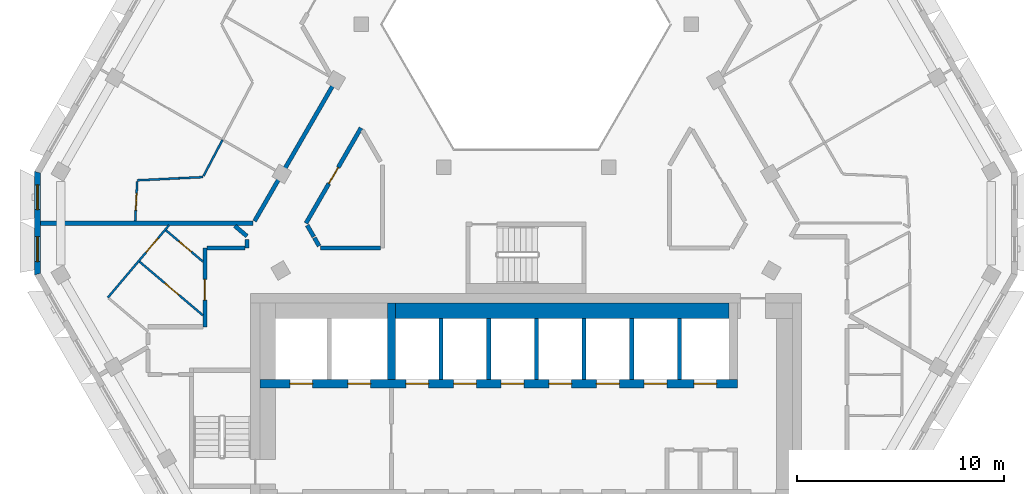
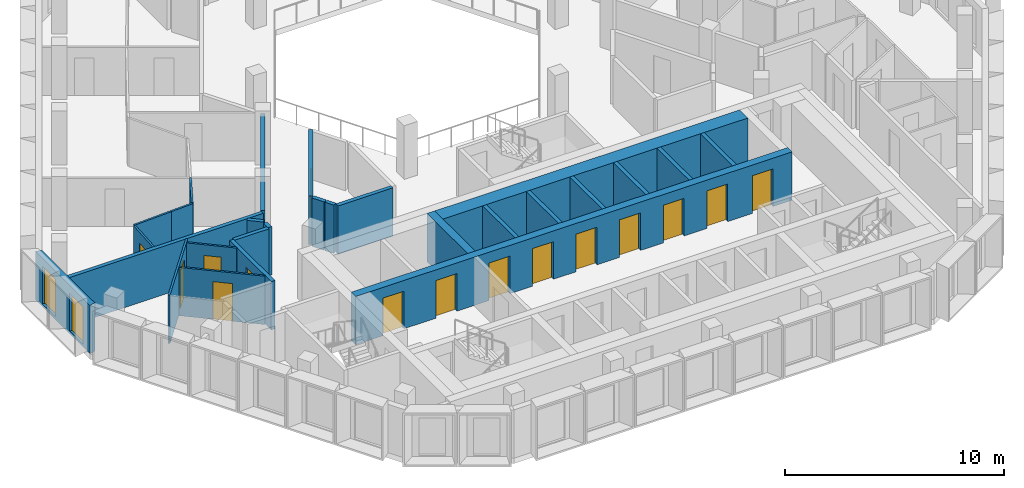
# One storey, part 4 of 16: 27 walls, 15 doors, 2 windows, 17 openings.
"""IFC4 building model written with IfcOpenShell, lengths in metres."""

from ifc_helpers import new_model, si_unit, direction, frame, frame_2d, origin, place, context, subcontext, project, spatial, polyline, rectangle, outline, extrude, material, layer, layer_set, type_object, element, fill, save


model = new_model("IFC4")

# Units and contexts
model_context = context("Model", 3, precision=1e-05, world=origin(), true_north=direction((0.0, 1.0)))
body_context = subcontext(model_context, "Body", "Model", "MODEL_VIEW")
ifc_project = project(units=[si_unit("LENGTHUNIT", "METRE"), si_unit("AREAUNIT", "SQUARE_METRE"), si_unit("VOLUMEUNIT", "CUBIC_METRE"), si_unit("PLANEANGLEUNIT", "RADIAN"), si_unit("MASSUNIT", "GRAM", prefix="KILO")], contexts=[model_context])

# Site, building, storey
site_placement = place(None, origin())
site = spatial("IfcSite", under=ifc_project, at=site_placement, CompositionType="ELEMENT")
building_placement = place(site_placement, origin())
building = spatial("IfcBuilding", under=site, at=building_placement, Name="Beryl Residences", CompositionType="ELEMENT")
storey_placement = place(building_placement, frame((0.0, 0.0, 226.800048828125)))
storey = spatial("IfcBuildingStorey", under=building, at=storey_placement, Name="L70", CompositionType="ELEMENT", Elevation=226.800048828125)

# Wall, openings, windows
ifc_material_1 = material(Name="Composite metal panel with mineral wool insulation")
ifc_layer_1 = layer(ifc_material_1, 0.300048828125)
ifc_layer_set_1 = layer_set([ifc_layer_1], Name="ES1 pale metal composite panel wall 300 mm")
wall_type_1 = type_object("IfcWallType", Name="ES1 pale metal composite panel wall 300 mm", PredefinedType="SOLIDWALL", material=ifc_layer_set_1)
wall_1_placement = place(storey_placement, frame((-23.5791015625, 0.89990234375, 0.0), z_axis=(0.0, 0.0, 1.0), x_axis=(0.0, -1.0, 0.0)))
wall_1 = element("IfcWall", 1, at=wall_1_placement, inside=storey, type_object=wall_type_1, Name="ES1 external wall L70 NW-SW", PredefinedType="SOLIDWALL", context=body_context, shape_type="SweptSolid", body=[
    extrude(outline(polyline([(0.0, -0.14990234375), (5.0, -0.14990234375), (4.919677734375, 0.14990234375), (0.080322265625, 0.14990234375), (0.0, -0.14990234375)])), origin(), (0.0, 0.0, 1.0), 2.699951171875),
])
opening_1_placement = place(wall_1_placement, frame((0.64990234375, 0.0, 0.14990234375)))
opening_1 = element("IfcOpeningElement", 2, at=opening_1_placement, cuts=wall_1, Name="Opening W2", PredefinedType="OPENING", context=body_context, shape_type="SweptSolid", body=[
    extrude(rectangle(XDim=1.199951171875, YDim=2.10009765625, at=frame_2d((0.60009765625, 1.050048828125))), frame((0.0, 0.159912109375, 0.0), z_axis=(0.0, -1.0, 0.0), x_axis=(1.0, 0.0, 0.0)), (0.0, 0.0, 1.0), 0.320068359375),
])
opening_2_placement = place(wall_1_placement, frame((3.14990234375, 0.0, 0.14990234375)))
opening_2 = element("IfcOpeningElement", 3, at=opening_2_placement, cuts=wall_1, Name="Opening W2", PredefinedType="OPENING", context=body_context, shape_type="SweptSolid", body=[
    extrude(rectangle(XDim=1.199951171875, YDim=2.10009765625, at=frame_2d((0.60009765625, 1.050048828125))), frame((0.0, 0.159912109375, 0.0), z_axis=(0.0, -1.0, 0.0), x_axis=(1.0, 0.0, 0.0)), (0.0, 0.0, 1.0), 0.320068359375),
])
ifc_material_2 = material(Name="Aluminium and clear glass", Category="aluminium")
window_type = type_object("IfcWindowType", Name="W2 chamfer window 1200 x 2100 mm", PartitioningType="SINGLE_PANEL", PredefinedType="WINDOW", material=ifc_material_2)
window_1_placement = place(opening_1_placement, origin())
window_1 = element("IfcWindow", 4, at=window_1_placement, inside=storey, type_object=window_type, Name="W2 window L70 NW-SW 1", OverallHeight=2.10009765625, OverallWidth=1.199951171875, PartitioningType="SINGLE_PANEL", PredefinedType="WINDOW", context=body_context, shape_type="SweptSolid", body=[
    extrude(rectangle(XDim=1.199951171875, YDim=2.10009765625, at=frame_2d((0.60009765625, 1.050048828125))), frame((0.0, 0.030029296875, 0.0), z_axis=(0.0, -1.0, 0.0), x_axis=(1.0, 0.0, 0.0)), (0.0, 0.0, 1.0), 0.06005859375),
])
fill(opening_1, window_1)
window_2_placement = place(opening_2_placement, origin())
window_2 = element("IfcWindow", 5, at=window_2_placement, inside=storey, type_object=window_type, Name="W2 window L70 NW-SW 2", OverallHeight=2.10009765625, OverallWidth=1.199951171875, PartitioningType="SINGLE_PANEL", PredefinedType="WINDOW", context=body_context, shape_type="SweptSolid", body=[
    extrude(rectangle(XDim=1.199951171875, YDim=2.10009765625, at=frame_2d((0.60009765625, 1.050048828125))), frame((0.0, 0.030029296875, 0.0), z_axis=(0.0, -1.0, 0.0), x_axis=(1.0, 0.0, 0.0)), (0.0, 0.0, 1.0), 0.06005859375),
])
fill(opening_2, window_2)

# Wall, opening, door
ifc_material_3 = material(Name="Gypsum board partition on steel studs", Category="steel")
ifc_layer_2 = layer(ifc_material_3, 0.10009765625)
ifc_layer_set_2 = layer_set([ifc_layer_2], Name="PT1 partition 100 mm gypsum board on steel studs")
wall_type_2 = type_object("IfcWallType", Name="PT1 partition 100 mm gypsum board on steel studs", PredefinedType="PARTITIONING", material=ifc_layer_set_2)
wall_2_placement = place(storey_placement, frame((-17.3798828125, -1.947021484375, 0.0), z_axis=(0.0, 0.0, 1.0), x_axis=(0.763616683524, -0.645669854217, 0.0)))
wall_2 = element("IfcWall", 6, at=wall_2_placement, inside=storey, type_object=wall_type_2, Name="Wall PT1 L70 017", PredefinedType="PARTITIONING", context=body_context, shape_type="SweptSolid", body=[
    extrude(rectangle(XDim=2.330810546875, YDim=0.10009765625, at=frame_2d((1.16552734375, 0.0))), origin(), (0.0, 0.0, 1.0), 2.699951171875),
])
opening_3_placement = place(wall_2_placement, frame((0.805908203125, 0.0, 0.0)))
opening_3 = element("IfcOpeningElement", 7, at=opening_3_placement, cuts=wall_2, Name="Opening D1934", PredefinedType="OPENING", context=body_context, shape_type="SweptSolid", body=[
    extrude(rectangle(XDim=0.800048828125, YDim=2.10009765625, at=frame_2d((0.39990234375, 1.050048828125))), frame((0.0, 0.06005859375, 0.0), z_axis=(0.0, -1.0, 0.0), x_axis=(1.0, 0.0, 0.0)), (0.0, 0.0, 1.0), 0.1201171875),
])
ifc_material_4 = material(Name="Timber door leaf", Category="wood")
door_type_1 = type_object("IfcDoorType", Name="D3 bathroom door 800 x 2100 mm", OperationType="SINGLE_SWING_LEFT", PredefinedType="DOOR", material=ifc_material_4)
door_1_placement = place(opening_3_placement, origin())
door_1 = element("IfcDoor", 8, at=door_1_placement, inside=storey, type_object=door_type_1, Name="Door D1934 L70 001", OperationType="SINGLE_SWING_RIGHT", OverallHeight=2.10009765625, OverallWidth=0.800048828125, PredefinedType="DOOR", context=body_context, shape_type="SweptSolid", body=[
    extrude(rectangle(XDim=0.800048828125, YDim=2.10009765625, at=frame_2d((0.39990234375, 1.050048828125))), frame((0.0, 0.02490234375, 0.0), z_axis=(0.0, -1.0, 0.0), x_axis=(1.0, 0.0, 0.0)), (0.0, 0.0, 1.0), 0.050048828125),
])
fill(opening_3, door_1)

wall_3_placement = place(storey_placement, frame((-18.658935546875, -3.458984375, 0.0), z_axis=(0.0, 0.0, 1.0), x_axis=(0.763550385572, -0.64574825489, 0.0)))
wall_3 = element("IfcWall", 9, at=wall_3_placement, inside=storey, type_object=wall_type_2, Name="Wall PT1 L70 018", PredefinedType="PARTITIONING", context=body_context, shape_type="SweptSolid", body=[
    extrude(rectangle(XDim=4.006103515625, YDim=0.10009765625, at=frame_2d((2.0029296875, 0.0))), origin(), (0.0, 0.0, 1.0), 2.699951171875),
])
opening_4_placement = place(wall_3_placement, frame((1.593017578125, 0.0, 0.0)))
opening_4 = element("IfcOpeningElement", 10, at=opening_4_placement, cuts=wall_3, Name="Opening D1933", PredefinedType="OPENING", context=body_context, shape_type="SweptSolid", body=[
    extrude(rectangle(XDim=0.89990234375, YDim=2.10009765625, at=frame_2d((0.449951171875, 1.050048828125))), frame((0.0, 0.06005859375, 0.0), z_axis=(0.0, -1.0, 0.0), x_axis=(1.0, 0.0, 0.0)), (0.0, 0.0, 1.0), 0.1201171875),
])
ifc_material_5 = material(Name="Timber door leaf", Category="wood")
door_type_2 = type_object("IfcDoorType", Name="D2 room door 900 x 2100 mm", OperationType="SINGLE_SWING_LEFT", PredefinedType="DOOR", material=ifc_material_5)
door_2_placement = place(opening_4_placement, origin())
door_2 = element("IfcDoor", 11, at=door_2_placement, inside=storey, type_object=door_type_2, Name="Door D1933 L70 001", OperationType="SINGLE_SWING_LEFT", OverallHeight=2.10009765625, OverallWidth=0.89990234375, PredefinedType="DOOR", context=body_context, shape_type="SweptSolid", body=[
    extrude(rectangle(XDim=0.89990234375, YDim=2.10009765625, at=frame_2d((0.449951171875, 1.050048828125))), frame((0.0, 0.02490234375, 0.0), z_axis=(0.0, -1.0, 0.0), x_axis=(1.0, 0.0, 0.0)), (0.0, 0.0, 1.0), 0.050048828125),
])
fill(opening_4, door_2)

wall_4_placement = place(storey_placement, frame((-20.18798828125, -5.19091796875, 0.0), z_axis=(0.0, 0.0, 1.0), x_axis=(0.645563873658, 0.763706281909, 0.0)))
wall_4 = element("IfcWall", 12, at=wall_4_placement, inside=storey, type_object=wall_type_2, Name="Wall PT1 L70 023", PredefinedType="PARTITIONING", context=body_context, shape_type="SweptSolid", body=[
    extrude(rectangle(XDim=4.571044921875, YDim=0.10009765625, at=frame_2d((2.28564453125, 0.0))), origin(), (0.0, 0.0, 1.0), 2.699951171875),
])
opening_5_placement = place(wall_4_placement, frame((2.85009765625, 0.0, 0.0)))
opening_5 = element("IfcOpeningElement", 13, at=opening_5_placement, cuts=wall_4, Name="Opening D1935", PredefinedType="OPENING", context=body_context, shape_type="SweptSolid", body=[
    extrude(rectangle(XDim=0.89990234375, YDim=2.10009765625, at=frame_2d((0.449951171875, 1.050048828125))), frame((0.0, 0.06005859375, 0.0), z_axis=(0.0, -1.0, 0.0), x_axis=(1.0, 0.0, 0.0)), (0.0, 0.0, 1.0), 0.1201171875),
])
door_3_placement = place(opening_5_placement, origin())
door_3 = element("IfcDoor", 14, at=door_3_placement, inside=storey, type_object=door_type_2, Name="Door D1935 L70 001", OperationType="SINGLE_SWING_LEFT", OverallHeight=2.10009765625, OverallWidth=0.89990234375, PredefinedType="DOOR", context=body_context, shape_type="SweptSolid", body=[
    extrude(rectangle(XDim=0.89990234375, YDim=2.10009765625, at=frame_2d((0.449951171875, 1.050048828125))), frame((0.0, 0.02490234375, 0.0), z_axis=(0.0, -1.0, 0.0), x_axis=(1.0, 0.0, 0.0)), (0.0, 0.0, 1.0), 0.050048828125),
])
fill(opening_5, door_3)

# Wall
wall_5_placement = place(storey_placement, frame((-15.572021484375, 0.676025390625, 0.0), z_axis=(0.0, 0.0, 1.0), x_axis=(0.465298498919, 0.885153832339, 0.0)))
element("IfcWall", 15, at=wall_5_placement, inside=storey, type_object=wall_type_2, Name="Wall PT1 L70 025", PredefinedType="PARTITIONING", context=body_context, shape_type="SweptSolid", body=[
    extrude(rectangle(XDim=1.97705078125, YDim=0.10009765625, at=frame_2d((0.988525390625, 0.0))), origin(), (0.0, 0.0, 1.0), 2.699951171875),
])

# Wall, opening, door
wall_6_placement = place(storey_placement, frame((-18.865966796875, -1.5, 0.0), z_axis=(0.0, 0.0, 1.0), x_axis=(0.048923533446, 0.998802526967, 0.0)))
wall_6 = element("IfcWall", 16, at=wall_6_placement, inside=storey, type_object=wall_type_2, Name="Wall PT1 L70 031", PredefinedType="PARTITIONING", context=body_context, shape_type="SweptSolid", body=[
    extrude(rectangle(XDim=1.921142578125, YDim=0.10009765625, at=frame_2d((0.96044921875, 0.0))), origin(), (0.0, 0.0, 1.0), 2.699951171875),
])
opening_6_placement = place(wall_6_placement, frame((0.535888671875, 0.0, 0.0)))
opening_6 = element("IfcOpeningElement", 17, at=opening_6_placement, cuts=wall_6, Name="Opening D1931", PredefinedType="OPENING", context=body_context, shape_type="SweptSolid", body=[
    extrude(rectangle(XDim=0.800048828125, YDim=2.10009765625, at=frame_2d((0.39990234375, 1.050048828125))), frame((0.0, 0.06005859375, 0.0), z_axis=(0.0, -1.0, 0.0), x_axis=(1.0, 0.0, 0.0)), (0.0, 0.0, 1.0), 0.1201171875),
])
door_4_placement = place(opening_6_placement, origin())
door_4 = element("IfcDoor", 18, at=door_4_placement, inside=storey, type_object=door_type_1, Name="Door D1931 L70 001", OperationType="SINGLE_SWING_LEFT", OverallHeight=2.10009765625, OverallWidth=0.800048828125, PredefinedType="DOOR", context=body_context, shape_type="SweptSolid", body=[
    extrude(rectangle(XDim=0.800048828125, YDim=2.10009765625, at=frame_2d((0.39990234375, 1.050048828125))), frame((0.0, 0.02490234375, 0.0), z_axis=(0.0, -1.0, 0.0), x_axis=(1.0, 0.0, 0.0)), (0.0, 0.0, 1.0), 0.050048828125),
])
fill(opening_6, door_4)

# Walls
wall_7_placement = place(storey_placement, frame((-18.76904296875, 0.468994140625, 0.0), z_axis=(0.0, 0.0, 1.0), x_axis=(0.998780383332, 0.049373534108, 0.0)))
element("IfcWall", 19, at=wall_7_placement, inside=storey, type_object=wall_type_2, Name="Wall PT1 L70 038", PredefinedType="PARTITIONING", context=body_context, shape_type="SweptSolid", body=[
    extrude(rectangle(XDim=2.007568359375, YDim=0.10009765625, at=frame_2d((1.00390625, 0.0))), origin(), (0.0, 0.0, 1.0), 2.699951171875),
])
wall_8_placement = place(storey_placement, frame((-16.763916015625, 0.568115234375, 0.0), z_axis=(0.0, 0.0, 1.0), x_axis=(0.998809616198, 0.048778587419, 0.0)))
element("IfcWall", 20, at=wall_8_placement, inside=storey, type_object=wall_type_2, Name="Wall PT1 L70 039", PredefinedType="PARTITIONING", context=body_context, shape_type="SweptSolid", body=[
    extrude(rectangle(XDim=1.166259765625, YDim=0.10009765625, at=frame_2d((0.5830078125, 0.0))), origin(), (0.0, 0.0, 1.0), 2.699951171875),
])
ifc_material_6 = material(Name="Acoustic double stud gypsum board wall")
ifc_layer_3 = layer(ifc_material_6, 0.199951171875)
ifc_layer_set_3 = layer_set([ifc_layer_3], Name="PT3 party wall 200 mm acoustic double stud")
wall_type_3 = type_object("IfcWallType", Name="PT3 party wall 200 mm acoustic double stud", PredefinedType="PARTITIONING", material=ifc_layer_set_3)
wall_9_placement = place(storey_placement, frame((-14.05908203125, -1.72998046875, 0.0), z_axis=(0.0, 0.0, 1.0), x_axis=(0.763289607824, -0.64605647941, 0.0)))
element("IfcWall", 21, at=wall_9_placement, inside=storey, type_object=wall_type_3, Name="Wall PT3 L70 007", PredefinedType="PARTITIONING", context=body_context, shape_type="SweptSolid", body=[
    extrude(rectangle(XDim=0.766357421875, YDim=0.199951171875, at=frame_2d((0.38330078125, 0.0))), origin(), (0.0, 0.0, 1.0), 2.699951171875),
])
wall_10_placement = place(storey_placement, frame((-23.428955078125, -1.60107421875, 0.0), z_axis=(0.0, 0.0, 1.0), x_axis=(0.999999995449, 9.5406191e-05, 0.0)))
element("IfcWall", 22, at=wall_10_placement, inside=storey, type_object=wall_type_3, Name="Wall PT3 L70 008", PredefinedType="PARTITIONING", context=body_context, shape_type="SweptSolid", body=[
    extrude(rectangle(XDim=10.23583984375, YDim=0.199951171875, at=frame_2d((5.117919921875, 0.0))), origin(), (0.0, 0.0, 1.0), 2.699951171875),
])
ifc_material_7 = material(Name="Double stud gypsum board wall")
ifc_layer_4 = layer(ifc_material_7, 0.199951171875)
ifc_layer_set_4 = layer_set([ifc_layer_4], Name="PT4 corridor wall 200 mm double stud")
wall_type_4 = type_object("IfcWallType", Name="PT4 corridor wall 200 mm double stud", PredefinedType="PARTITIONING", material=ifc_layer_set_4)
wall_11_placement = place(storey_placement, frame((-10.56494140625, -1.700927734375, 0.0), z_axis=(0.0, 0.0, 1.0), x_axis=(0.499512735409, -0.866306543416, 0.0)))
element("IfcWall", 23, at=wall_11_placement, inside=storey, type_object=wall_type_4, Name="Wall PT4 L70 003", PredefinedType="PARTITIONING", context=body_context, shape_type="SweptSolid", body=[
    extrude(rectangle(XDim=0.638427734375, YDim=0.199951171875, at=frame_2d((0.3193359375, 0.0))), origin(), (0.0, 0.0, 1.0), 2.699951171875),
])
wall_12_placement = place(storey_placement, frame((-10.217041015625, -2.303955078125, 0.0), z_axis=(0.0, 0.0, 1.0), x_axis=(0.499013081552, -0.866594452117, 0.0)))
element("IfcWall", 24, at=wall_12_placement, inside=storey, type_object=wall_type_4, Name="Wall PT4 L70 004", PredefinedType="PARTITIONING", context=body_context, shape_type="SweptSolid", body=[
    extrude(rectangle(XDim=0.45703125, YDim=0.199951171875, at=frame_2d((0.228515625, 0.0))), origin(), (0.0, 0.0, 1.0), 2.699951171875),
])
wall_13_placement = place(storey_placement, frame((-15.39892578125, -2.800048828125, 0.0), z_axis=(0.0, 0.0, 1.0), x_axis=(1.0, 0.0, 0.0)))
element("IfcWall", 25, at=wall_13_placement, inside=storey, type_object=wall_type_4, Name="Wall PT4 L70 014", PredefinedType="PARTITIONING", context=body_context, shape_type="SweptSolid", body=[
    extrude(rectangle(XDim=1.824951171875, YDim=0.199951171875, at=frame_2d((0.91259765625, 0.0))), origin(), (0.0, 0.0, 1.0), 2.699951171875),
])
wall_14_placement = place(storey_placement, frame((-9.929931640625, -2.800048828125, 0.0), z_axis=(0.0, 0.0, 1.0), x_axis=(1.0, 0.0, 0.0)))
element("IfcWall", 26, at=wall_14_placement, inside=storey, type_object=wall_type_4, Name="Wall PT4 L70 015", PredefinedType="PARTITIONING", context=body_context, shape_type="SweptSolid", body=[
    extrude(rectangle(XDim=2.90087890625, YDim=0.199951171875, at=frame_2d((1.450439453125, 0.0))), origin(), (0.0, 0.0, 1.0), 2.699951171875),
])

# Wall, opening, door
wall_15_placement = place(storey_placement, frame((-10.623046875, -1.60009765625, 0.0), z_axis=(0.0, 0.0, 1.0), x_axis=(0.500040865889, 0.866001808567, 0.0)))
wall_15 = element("IfcWall", 27, at=wall_15_placement, inside=storey, type_object=wall_type_4, Name="Wall PT4 L70 023", PredefinedType="PARTITIONING", context=body_context, shape_type="SweptSolid", body=[
    extrude(rectangle(XDim=5.3095703125, YDim=0.199951171875, at=frame_2d((2.65478515625, 0.0))), origin(), (0.0, 0.0, 1.0), 2.699951171875),
])
opening_7_placement = place(wall_15_placement, frame((2.205078125, 0.0, 0.0)))
opening_7 = element("IfcOpeningElement", 28, at=opening_7_placement, cuts=wall_15, Name="Opening D1937", PredefinedType="OPENING", context=body_context, shape_type="SweptSolid", body=[
    extrude(rectangle(XDim=0.89990234375, YDim=2.10009765625, at=frame_2d((0.449951171875, 1.050048828125))), frame((0.0, 0.10986328125, 0.0), z_axis=(0.0, -1.0, 0.0), x_axis=(1.0, 0.0, 0.0)), (0.0, 0.0, 1.0), 0.219970703125),
])
door_5_placement = place(opening_7_placement, origin())
door_5 = element("IfcDoor", 29, at=door_5_placement, inside=storey, type_object=door_type_2, Name="Door D1937 L70 001", OperationType="SINGLE_SWING_LEFT", OverallHeight=2.10009765625, OverallWidth=0.89990234375, PredefinedType="DOOR", context=body_context, shape_type="SweptSolid", body=[
    extrude(rectangle(XDim=0.89990234375, YDim=2.10009765625, at=frame_2d((0.449951171875, 1.050048828125))), frame((0.0, 0.02490234375, 0.0), z_axis=(0.0, -1.0, 0.0), x_axis=(1.0, 0.0, 0.0)), (0.0, 0.0, 1.0), 0.050048828125),
])
fill(opening_7, door_5)

# Walls
wall_16_placement = place(storey_placement, frame((-13.10595703125, -1.5, 0.0), z_axis=(0.0, 0.0, 1.0), x_axis=(0.500025705601, 0.86601056214, 0.0)))
element("IfcWall", 30, at=wall_16_placement, inside=storey, type_object=wall_type_4, Name="Wall PT4 L70 024", PredefinedType="PARTITIONING", context=body_context, shape_type="SweptSolid", body=[
    extrude(rectangle(XDim=7.7353515625, YDim=0.199951171875, at=frame_2d((3.86767578125, 0.0))), origin(), (0.0, 0.0, 1.0), 2.699951171875),
])
wall_17_placement = place(storey_placement, frame((-13.472900390625, -2.799072265625, 0.0), z_axis=(0.0, 0.0, 1.0), x_axis=(0.0, 1.0, 0.0)))
element("IfcWall", 31, at=wall_17_placement, inside=storey, type_object=wall_type_4, Name="Wall PT4 L70 029", PredefinedType="PARTITIONING", context=body_context, shape_type="SweptSolid", body=[
    extrude(rectangle(XDim=0.412109375, YDim=0.199951171875, at=frame_2d((0.2060546875, 0.0))), origin(), (0.0, 0.0, 1.0), 2.699951171875),
])

# Wall, opening, door
wall_18_placement = place(storey_placement, frame((-15.5, -6.59912109375, 0.0), z_axis=(0.0, 0.0, 1.0), x_axis=(0.0, 1.0, 0.0)))
wall_18 = element("IfcWall", 32, at=wall_18_placement, inside=storey, type_object=wall_type_4, Name="Wall PT4 L70 030", PredefinedType="PARTITIONING", context=body_context, shape_type="SweptSolid", body=[
    extrude(rectangle(XDim=3.798095703125, YDim=0.199951171875, at=frame_2d((1.89892578125, 0.0))), origin(), (0.0, 0.0, 1.0), 2.699951171875),
])
opening_8_placement = place(wall_18_placement, frame((1.291015625, 0.0, 0.0)))
opening_8 = element("IfcOpeningElement", 33, at=opening_8_placement, cuts=wall_18, Name="Opening D1932", PredefinedType="OPENING", context=body_context, shape_type="SweptSolid", body=[
    extrude(rectangle(XDim=1.0, YDim=2.10009765625, at=frame_2d((0.5, 1.050048828125))), frame((0.0, 0.10986328125, 0.0), z_axis=(0.0, -1.0, 0.0), x_axis=(1.0, 0.0, 0.0)), (0.0, 0.0, 1.0), 0.219970703125),
])
ifc_material_8 = material(Name="Timber door leaf", Category="wood")
door_type_3 = type_object("IfcDoorType", Name="D1 flat entrance door 1000 x 2100 mm", OperationType="SINGLE_SWING_LEFT", PredefinedType="DOOR", material=ifc_material_8)
door_6_placement = place(opening_8_placement, origin())
door_6 = element("IfcDoor", 34, at=door_6_placement, inside=storey, type_object=door_type_3, Name="Door D1932 L70 001", OperationType="SINGLE_SWING_RIGHT", OverallHeight=2.10009765625, OverallWidth=1.0, PredefinedType="DOOR", context=body_context, shape_type="SweptSolid", body=[
    extrude(rectangle(XDim=1.0, YDim=2.10009765625, at=frame_2d((0.5, 1.050048828125))), frame((0.0, 0.02490234375, 0.0), z_axis=(0.0, -1.0, 0.0), x_axis=(1.0, 0.0, 0.0)), (0.0, 0.0, 1.0), 0.050048828125),
])
fill(opening_8, door_6)

# Walls
ifc_material_9 = material(Name="Concrete C40/50", Category="concrete")
ifc_layer_5 = layer(ifc_material_9, 0.199951171875)
ifc_layer_set_5 = layer_set([ifc_layer_5], Name="PT6 lift shaft wall 200 mm reinforced concrete C40/50")
wall_type_5 = type_object("IfcWallType", Name="PT6 lift shaft wall 200 mm reinforced concrete C40/50", PredefinedType="SOLIDWALL", material=ifc_layer_set_5)
for number, where, z_axis, x_axis, name in (
    (35, (-4.10009765625, -9.14990234375, 0.0), (0.0, 0.0, 1.0), (0.0, 1.0, 0.0), "Lift shaft wall 16"),
    (36, (-1.800048828125, -9.14990234375, 0.0), (0.0, 0.0, 1.0), (0.0, 1.0, 0.0), "Lift shaft wall 19"),
    (37, (0.5, -9.14990234375, 0.0), (0.0, 0.0, 1.0), (0.0, 1.0, 0.0), "Lift shaft wall 21"),
    (38, (2.800048828125, -9.14990234375, 0.0), (0.0, 0.0, 1.0), (0.0, 1.0, 0.0), "Lift shaft wall 23"),
    (39, (5.10009765625, -9.14990234375, 0.0), (0.0, 0.0, 1.0), (0.0, 1.0, 0.0), "Lift shaft wall 25"),
    (40, (7.39990234375, -9.14990234375, 0.0), (0.0, 0.0, 1.0), (0.0, 1.0, 0.0), "Lift shaft wall 29"),
):
    element("IfcWall", number, at=place(storey_placement, frame(where, z_axis=z_axis, x_axis=x_axis)), inside=storey, type_object=wall_type_5, Name=name, PredefinedType="SOLIDWALL", context=body_context, shape_type="SweptSolid", body=[
        extrude(rectangle(XDim=2.949951171875, YDim=0.199951171875, at=frame_2d((1.47509765625, 0.0))), origin(), (0.0, 0.0, 1.0), 2.699951171875),
    ])
ifc_material_10 = material(Name="Concrete C40/50", Category="concrete")
ifc_layer_6 = layer(ifc_material_10, 0.75)
ifc_layer_set_6 = layer_set([ifc_layer_6], Name="PT6-750 lift shaft wall 750 mm")
wall_type_6 = type_object("IfcWallType", Name="PT6-750 lift shaft wall 750 mm", PredefinedType="SOLIDWALL", material=ifc_layer_set_6)
wall_19_placement = place(storey_placement, frame((-6.300048828125, -5.824951171875, 0.0), z_axis=(0.0, 0.0, 1.0), x_axis=(1.0, 0.0, 0.0)))
element("IfcWall", 41, at=wall_19_placement, inside=storey, type_object=wall_type_6, Name="Lift shaft wall 14", PredefinedType="SOLIDWALL", context=body_context, shape_type="SweptSolid", body=[
    extrude(rectangle(XDim=16.10009765625, YDim=0.75, at=frame_2d((8.050048828125, 0.0))), origin(), (0.0, 0.0, 1.0), 2.699951171875),
])

# Wall, openings, doors
ifc_material_11 = material(Name="Concrete C50/60", Category="concrete")
ifc_layer_7 = layer(ifc_material_11, 0.39990234375)
ifc_layer_set_7 = layer_set([ifc_layer_7], Name="SW10 core internal wall 400 mm C50/60")
wall_type_7 = type_object("IfcWallType", Name="SW10 core internal wall 400 mm C50/60", PredefinedType="SHEAR", material=ifc_layer_set_7)
wall_20_placement = place(storey_placement, frame((-12.85009765625, -9.35009765625, 0.0), z_axis=(0.0, 0.0, 1.0), x_axis=(1.0, 0.0, 0.0)))
wall_20 = element("IfcWall", 42, at=wall_20_placement, inside=storey, type_object=wall_type_7, Name="Core wall SP2 L70", PredefinedType="SHEAR", context=body_context, shape_type="SweptSolid", body=[
    extrude(rectangle(XDim=23.050048828125, YDim=0.39990234375, at=frame_2d((11.52490234375, 0.0))), origin(), (0.0, 0.0, 1.0), 2.699951171875),
])
opening_9_placement = place(wall_20_placement, frame((1.449951171875, 0.0, 0.0)))
opening_9 = element("IfcOpeningElement", 43, at=opening_9_placement, cuts=wall_20, Name="Opening LD-FF1", PredefinedType="OPENING", context=body_context, shape_type="SweptSolid", body=[
    extrude(rectangle(XDim=1.10009765625, YDim=2.10009765625, at=frame_2d((0.550048828125, 1.050048828125))), frame((0.0, 0.2099609375, 0.0), z_axis=(0.0, -1.0, 0.0), x_axis=(1.0, 0.0, 0.0)), (0.0, 0.0, 1.0), 0.419921875),
])
opening_10_placement = place(wall_20_placement, frame((4.25, 0.0, 0.0)))
opening_10 = element("IfcOpeningElement", 44, at=opening_10_placement, cuts=wall_20, Name="Opening LD-FF2", PredefinedType="OPENING", context=body_context, shape_type="SweptSolid", body=[
    extrude(rectangle(XDim=1.10009765625, YDim=2.10009765625, at=frame_2d((0.550048828125, 1.050048828125))), frame((0.0, 0.2099609375, 0.0), z_axis=(0.0, -1.0, 0.0), x_axis=(1.0, 0.0, 0.0)), (0.0, 0.0, 1.0), 0.419921875),
])
opening_11_placement = place(wall_20_placement, frame((7.050048828125, 0.0, 0.0)))
opening_11 = element("IfcOpeningElement", 45, at=opening_11_placement, cuts=wall_20, Name="Opening LD-HR1", PredefinedType="OPENING", context=body_context, shape_type="SweptSolid", body=[
    extrude(rectangle(XDim=1.10009765625, YDim=2.10009765625, at=frame_2d((0.550048828125, 1.050048828125))), frame((0.0, 0.2099609375, 0.0), z_axis=(0.0, -1.0, 0.0), x_axis=(1.0, 0.0, 0.0)), (0.0, 0.0, 1.0), 0.419921875),
])
opening_12_placement = place(wall_20_placement, frame((9.35009765625, 0.0, 0.0)))
opening_12 = element("IfcOpeningElement", 46, at=opening_12_placement, cuts=wall_20, Name="Opening LD-HR2", PredefinedType="OPENING", context=body_context, shape_type="SweptSolid", body=[
    extrude(rectangle(XDim=1.10009765625, YDim=2.10009765625, at=frame_2d((0.550048828125, 1.050048828125))), frame((0.0, 0.2099609375, 0.0), z_axis=(0.0, -1.0, 0.0), x_axis=(1.0, 0.0, 0.0)), (0.0, 0.0, 1.0), 0.419921875),
])
opening_13_placement = place(wall_20_placement, frame((11.64990234375, 0.0, 0.0)))
opening_13 = element("IfcOpeningElement", 47, at=opening_13_placement, cuts=wall_20, Name="Opening LD-HR3", PredefinedType="OPENING", context=body_context, shape_type="SweptSolid", body=[
    extrude(rectangle(XDim=1.10009765625, YDim=2.10009765625, at=frame_2d((0.550048828125, 1.050048828125))), frame((0.0, 0.2099609375, 0.0), z_axis=(0.0, -1.0, 0.0), x_axis=(1.0, 0.0, 0.0)), (0.0, 0.0, 1.0), 0.419921875),
])
opening_14_placement = place(wall_20_placement, frame((13.949951171875, 0.0, 0.0)))
opening_14 = element("IfcOpeningElement", 48, at=opening_14_placement, cuts=wall_20, Name="Opening LD-HR4", PredefinedType="OPENING", context=body_context, shape_type="SweptSolid", body=[
    extrude(rectangle(XDim=1.10009765625, YDim=2.10009765625, at=frame_2d((0.550048828125, 1.050048828125))), frame((0.0, 0.2099609375, 0.0), z_axis=(0.0, -1.0, 0.0), x_axis=(1.0, 0.0, 0.0)), (0.0, 0.0, 1.0), 0.419921875),
])
opening_15_placement = place(wall_20_placement, frame((16.25, 0.0, 0.0)))
opening_15 = element("IfcOpeningElement", 49, at=opening_15_placement, cuts=wall_20, Name="Opening LD-HR5", PredefinedType="OPENING", context=body_context, shape_type="SweptSolid", body=[
    extrude(rectangle(XDim=1.10009765625, YDim=2.10009765625, at=frame_2d((0.550048828125, 1.050048828125))), frame((0.0, 0.2099609375, 0.0), z_axis=(0.0, -1.0, 0.0), x_axis=(1.0, 0.0, 0.0)), (0.0, 0.0, 1.0), 0.419921875),
])
opening_16_placement = place(wall_20_placement, frame((18.550048828125, 0.0, 0.0)))
opening_16 = element("IfcOpeningElement", 50, at=opening_16_placement, cuts=wall_20, Name="Opening LD-HR6", PredefinedType="OPENING", context=body_context, shape_type="SweptSolid", body=[
    extrude(rectangle(XDim=1.10009765625, YDim=2.10009765625, at=frame_2d((0.550048828125, 1.050048828125))), frame((0.0, 0.2099609375, 0.0), z_axis=(0.0, -1.0, 0.0), x_axis=(1.0, 0.0, 0.0)), (0.0, 0.0, 1.0), 0.419921875),
])
opening_17_placement = place(wall_20_placement, frame((20.949951171875, 0.0, 0.0)))
opening_17 = element("IfcOpeningElement", 51, at=opening_17_placement, cuts=wall_20, Name="Opening LD-SL1", PredefinedType="OPENING", context=body_context, shape_type="SweptSolid", body=[
    extrude(rectangle(XDim=1.10009765625, YDim=2.10009765625, at=frame_2d((0.550048828125, 1.050048828125))), frame((0.0, 0.2099609375, 0.0), z_axis=(0.0, -1.0, 0.0), x_axis=(1.0, 0.0, 0.0)), (0.0, 0.0, 1.0), 0.419921875),
])
ifc_material_12 = material(Name="Stainless steel sliding door", Category="steel")
door_type_4 = type_object("IfcDoorType", Name="LD1 lift landing door 1100 x 2100 mm", OperationType="DOUBLE_DOOR_SLIDING", PredefinedType="DOOR", material=ifc_material_12)
door_7_placement = place(opening_9_placement, origin())
door_7 = element("IfcDoor", 52, at=door_7_placement, inside=storey, type_object=door_type_4, Name="Lift landing door FF1", OperationType="DOUBLE_DOOR_SLIDING", OverallHeight=2.10009765625, OverallWidth=1.10009765625, PredefinedType="DOOR", context=body_context, shape_type="SweptSolid", body=[
    extrude(rectangle(XDim=1.10009765625, YDim=2.10009765625, at=frame_2d((0.550048828125, 1.050048828125))), frame((0.0, 0.02490234375, 0.0), z_axis=(0.0, -1.0, 0.0), x_axis=(1.0, 0.0, 0.0)), (0.0, 0.0, 1.0), 0.050048828125),
])
fill(opening_9, door_7)
door_8_placement = place(opening_10_placement, origin())
door_8 = element("IfcDoor", 53, at=door_8_placement, inside=storey, type_object=door_type_4, Name="Lift landing door FF2", OperationType="DOUBLE_DOOR_SLIDING", OverallHeight=2.10009765625, OverallWidth=1.10009765625, PredefinedType="DOOR", context=body_context, shape_type="SweptSolid", body=[
    extrude(rectangle(XDim=1.10009765625, YDim=2.10009765625, at=frame_2d((0.550048828125, 1.050048828125))), frame((0.0, 0.02490234375, 0.0), z_axis=(0.0, -1.0, 0.0), x_axis=(1.0, 0.0, 0.0)), (0.0, 0.0, 1.0), 0.050048828125),
])
fill(opening_10, door_8)
door_9_placement = place(opening_11_placement, origin())
door_9 = element("IfcDoor", 54, at=door_9_placement, inside=storey, type_object=door_type_4, Name="Lift landing door HR1", OperationType="DOUBLE_DOOR_SLIDING", OverallHeight=2.10009765625, OverallWidth=1.10009765625, PredefinedType="DOOR", context=body_context, shape_type="SweptSolid", body=[
    extrude(rectangle(XDim=1.10009765625, YDim=2.10009765625, at=frame_2d((0.550048828125, 1.050048828125))), frame((0.0, 0.02490234375, 0.0), z_axis=(0.0, -1.0, 0.0), x_axis=(1.0, 0.0, 0.0)), (0.0, 0.0, 1.0), 0.050048828125),
])
fill(opening_11, door_9)
door_10_placement = place(opening_12_placement, origin())
door_10 = element("IfcDoor", 55, at=door_10_placement, inside=storey, type_object=door_type_4, Name="Lift landing door HR2", OperationType="DOUBLE_DOOR_SLIDING", OverallHeight=2.10009765625, OverallWidth=1.10009765625, PredefinedType="DOOR", context=body_context, shape_type="SweptSolid", body=[
    extrude(rectangle(XDim=1.10009765625, YDim=2.10009765625, at=frame_2d((0.550048828125, 1.050048828125))), frame((0.0, 0.02490234375, 0.0), z_axis=(0.0, -1.0, 0.0), x_axis=(1.0, 0.0, 0.0)), (0.0, 0.0, 1.0), 0.050048828125),
])
fill(opening_12, door_10)
door_11_placement = place(opening_13_placement, origin())
door_11 = element("IfcDoor", 56, at=door_11_placement, inside=storey, type_object=door_type_4, Name="Lift landing door HR3", OperationType="DOUBLE_DOOR_SLIDING", OverallHeight=2.10009765625, OverallWidth=1.10009765625, PredefinedType="DOOR", context=body_context, shape_type="SweptSolid", body=[
    extrude(rectangle(XDim=1.10009765625, YDim=2.10009765625, at=frame_2d((0.550048828125, 1.050048828125))), frame((0.0, 0.02490234375, 0.0), z_axis=(0.0, -1.0, 0.0), x_axis=(1.0, 0.0, 0.0)), (0.0, 0.0, 1.0), 0.050048828125),
])
fill(opening_13, door_11)
door_12_placement = place(opening_14_placement, origin())
door_12 = element("IfcDoor", 57, at=door_12_placement, inside=storey, type_object=door_type_4, Name="Lift landing door HR4", OperationType="DOUBLE_DOOR_SLIDING", OverallHeight=2.10009765625, OverallWidth=1.10009765625, PredefinedType="DOOR", context=body_context, shape_type="SweptSolid", body=[
    extrude(rectangle(XDim=1.10009765625, YDim=2.10009765625, at=frame_2d((0.550048828125, 1.050048828125))), frame((0.0, 0.02490234375, 0.0), z_axis=(0.0, -1.0, 0.0), x_axis=(1.0, 0.0, 0.0)), (0.0, 0.0, 1.0), 0.050048828125),
])
fill(opening_14, door_12)
door_13_placement = place(opening_15_placement, origin())
door_13 = element("IfcDoor", 58, at=door_13_placement, inside=storey, type_object=door_type_4, Name="Lift landing door HR5", OperationType="DOUBLE_DOOR_SLIDING", OverallHeight=2.10009765625, OverallWidth=1.10009765625, PredefinedType="DOOR", context=body_context, shape_type="SweptSolid", body=[
    extrude(rectangle(XDim=1.10009765625, YDim=2.10009765625, at=frame_2d((0.550048828125, 1.050048828125))), frame((0.0, 0.02490234375, 0.0), z_axis=(0.0, -1.0, 0.0), x_axis=(1.0, 0.0, 0.0)), (0.0, 0.0, 1.0), 0.050048828125),
])
fill(opening_15, door_13)
door_14_placement = place(opening_16_placement, origin())
door_14 = element("IfcDoor", 59, at=door_14_placement, inside=storey, type_object=door_type_4, Name="Lift landing door HR6", OperationType="DOUBLE_DOOR_SLIDING", OverallHeight=2.10009765625, OverallWidth=1.10009765625, PredefinedType="DOOR", context=body_context, shape_type="SweptSolid", body=[
    extrude(rectangle(XDim=1.10009765625, YDim=2.10009765625, at=frame_2d((0.550048828125, 1.050048828125))), frame((0.0, 0.02490234375, 0.0), z_axis=(0.0, -1.0, 0.0), x_axis=(1.0, 0.0, 0.0)), (0.0, 0.0, 1.0), 0.050048828125),
])
fill(opening_16, door_14)
door_15_placement = place(opening_17_placement, origin())
door_15 = element("IfcDoor", 60, at=door_15_placement, inside=storey, type_object=door_type_4, Name="Lift landing door SL1", OperationType="DOUBLE_DOOR_SLIDING", OverallHeight=2.10009765625, OverallWidth=1.10009765625, PredefinedType="DOOR", context=body_context, shape_type="SweptSolid", body=[
    extrude(rectangle(XDim=1.10009765625, YDim=2.10009765625, at=frame_2d((0.550048828125, 1.050048828125))), frame((0.0, 0.02490234375, 0.0), z_axis=(0.0, -1.0, 0.0), x_axis=(1.0, 0.0, 0.0)), (0.0, 0.0, 1.0), 0.050048828125),
])
fill(opening_17, door_15)

# Wall
wall_21_placement = place(storey_placement, frame((-6.5, -9.14990234375, 0.0), z_axis=(0.0, 0.0, 1.0), x_axis=(0.0, 1.0, 0.0)))
element("IfcWall", 61, at=wall_21_placement, inside=storey, type_object=wall_type_7, Name="Core wall XN1 L70", PredefinedType="SHEAR", context=body_context, shape_type="SweptSolid", body=[
    extrude(rectangle(XDim=3.699951171875, YDim=0.39990234375, at=frame_2d((1.85009765625, 0.0))), origin(), (0.0, 0.0, 1.0), 2.699951171875),
])

save(model, "model.ifc")
